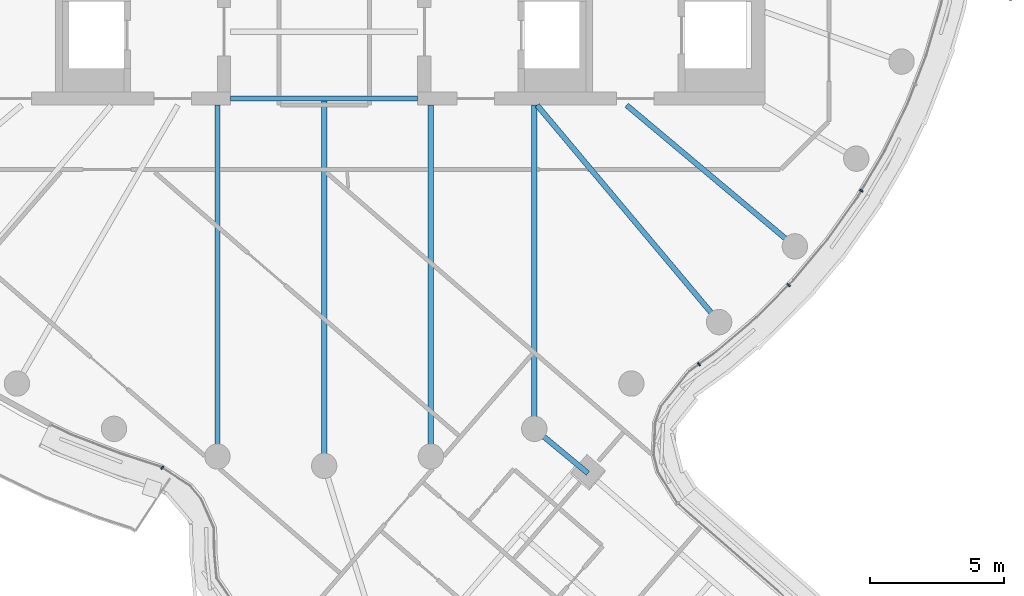
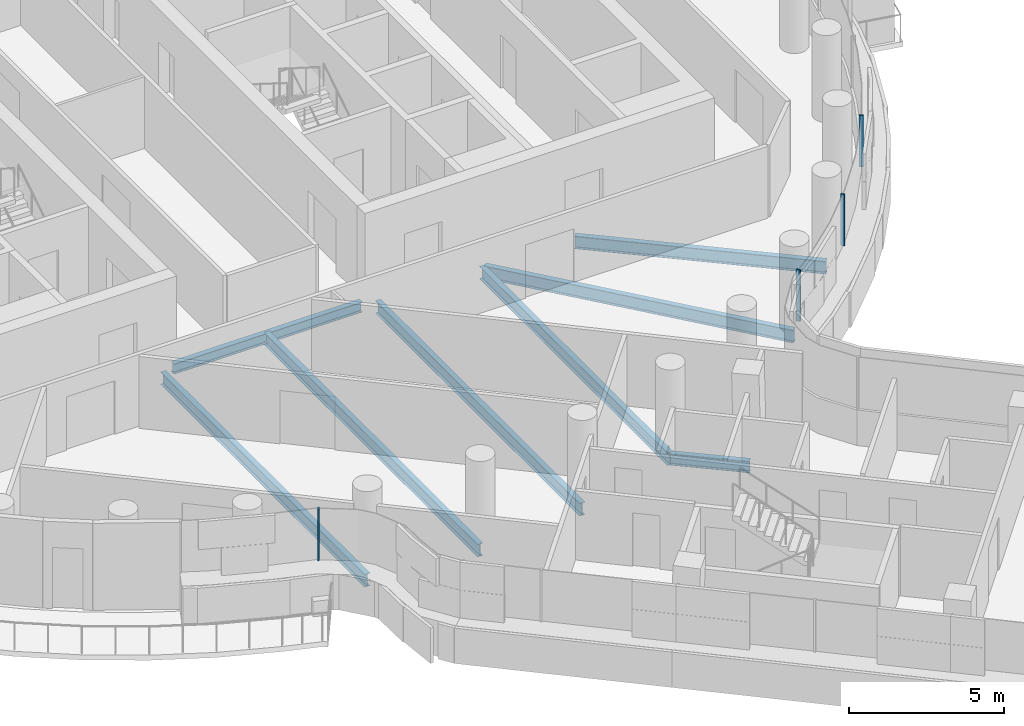
# One storey, part 7 of 32: 8 beams, 4 members, 2 elements without a shape of their own.
"""IFC4 building model written with IfcOpenShell, lengths in metres."""

from ifc_helpers import new_model, si_unit, direction, frame, origin, origin_2d, place, context, subcontext, project, spatial, rectangle, i_section, extrude, material, layer, layer_set, material_profile, profile_set, type_object, element, aggregate, save


model = new_model("IFC4")

# Units and contexts
model_context = context("Model", 3, precision=1e-05, world=origin(), true_north=direction((0.0, 1.0)))
body_context = subcontext(model_context, "Body", "Model", "MODEL_VIEW")
ifc_project = project(units=[si_unit("LENGTHUNIT", "METRE"), si_unit("AREAUNIT", "SQUARE_METRE"), si_unit("VOLUMEUNIT", "CUBIC_METRE"), si_unit("PLANEANGLEUNIT", "RADIAN"), si_unit("MASSUNIT", "GRAM", prefix="KILO")], contexts=[model_context])

# Site, building, storey
site_placement = place(None, origin())
site = spatial("IfcSite", under=ifc_project, at=site_placement, CompositionType="ELEMENT")
building_placement = place(site_placement, origin())
building = spatial("IfcBuilding", under=site, at=building_placement, Name="Tamarind Cross Interchange Tower", CompositionType="ELEMENT")
storey_placement = place(building_placement, frame((0.0, 0.0, 211.300048828125)))
storey = spatial("IfcBuildingStorey", under=building, at=storey_placement, Name="L53", CompositionType="ELEMENT", Elevation=211.300048828125)

# Beams
ifc_material_1 = material(Name="Steel Q355B", Category="steel")
ifc_material_profile_1 = material_profile(ifc_material_1, i_section(OverallWidth=0.199951171875, OverallDepth=0.39990234375, WebThickness=0.008056640625, FlangeThickness=0.012939453125, FilletRadius=0.01611328125, at=origin_2d()), Name="HN 400x200x8x13")
ifc_profile_set_1 = profile_set([ifc_material_profile_1], Name="Steel Q355B")
beam_type_1 = type_object("IfcBeamType", Name="Composite beam HN 400x200x8x13 Q355B", PredefinedType="BEAM", material=ifc_profile_set_1)
beam_1_placement = place(storey_placement, frame((-3.5, -9.25, -0.340087890625), z_axis=(1.0, 0.0, 0.0), x_axis=(0.0, 1.0, 0.0)))
element("IfcBeam", 1, at=beam_1_placement, inside=storey, type_object=beam_type_1, Name="Beam G-9.25", PredefinedType="BEAM", context=body_context, shape_type="SweptSolid", body=[
    extrude(i_section(OverallWidth=0.199951171875, OverallDepth=0.39990234375, WebThickness=0.008056640625, FlangeThickness=0.012939453125, FilletRadius=0.01611328125, at=origin_2d()), origin(), (0.0, 0.0, 1.0), 7.0),
])
ifc_material_profile_2 = material_profile(ifc_material_1, i_section(OverallWidth=0.198974609375, OverallDepth=0.446044921875, WebThickness=0.008056640625, FlangeThickness=0.011962890625, FilletRadius=0.012939453125, at=origin_2d()), Name="HN 446x199x8x12")
ifc_profile_set_2 = profile_set([ifc_material_profile_2], Name="Steel Q355B")
beam_type_2 = type_object("IfcBeamType", Name="Composite beam HN 446x199x8x12 Q355B", PredefinedType="BEAM", material=ifc_profile_set_2)
beam_2_placement = place(storey_placement, frame((9.874755859375, -23.276123046875, -0.363037109375), z_axis=(-0.770197642358, 0.637805292943, 0.0), x_axis=(-0.637805292943, -0.770197642358, 0.0)))
element("IfcBeam", 2, at=beam_2_placement, inside=storey, type_object=beam_type_2, Name="Beam S-linkep", PredefinedType="BEAM", context=body_context, shape_type="SweptSolid", body=[
    extrude(i_section(OverallWidth=0.198974609375, OverallDepth=0.446044921875, WebThickness=0.008056640625, FlangeThickness=0.011962890625, FilletRadius=0.012939453125, at=origin_2d()), origin(), (0.0, 0.0, 1.0), 2.607421875),
])
ifc_material_profile_3 = material_profile(ifc_material_1, i_section(OverallWidth=0.198974609375, OverallDepth=0.49609375, WebThickness=0.009033203125, FlangeThickness=0.013916015625, FilletRadius=0.012939453125, at=origin_2d()), Name="HN 496x199x9x14")
ifc_profile_set_3 = profile_set([ifc_material_profile_3], Name="Steel Q355B")
beam_type_3 = type_object("IfcBeamType", Name="Composite beam HN 496x199x9x14 Q355B", PredefinedType="BEAM", material=ifc_profile_set_3)
beam_3_placement = place(storey_placement, frame((-3.993896484375, -22.650634765625, -0.387939453125), z_axis=(0.0, 1.0, 0.0), x_axis=(-1.0, 0.0, 0.0)))
element("IfcBeam", 3, at=beam_3_placement, inside=storey, type_object=beam_type_3, Name="Beam HH26", PredefinedType="BEAM", context=body_context, shape_type="SweptSolid", body=[
    extrude(i_section(OverallWidth=0.198974609375, OverallDepth=0.49609375, WebThickness=0.009033203125, FlangeThickness=0.013916015625, FilletRadius=0.012939453125, at=origin_2d()), origin(), (0.0, 0.0, 1.0), 13.150634765625),
])
beam_4_placement = place(storey_placement, frame((0.0, -23.0, -0.387939453125), z_axis=(0.0, 1.0, 0.0), x_axis=(-1.0, 0.0, 0.0)))
element("IfcBeam", 4, at=beam_4_placement, inside=storey, type_object=beam_type_3, Name="Beam HH27", PredefinedType="BEAM", context=body_context, shape_type="SweptSolid", body=[
    extrude(i_section(OverallWidth=0.198974609375, OverallDepth=0.49609375, WebThickness=0.009033203125, FlangeThickness=0.013916015625, FilletRadius=0.012939453125, at=origin_2d()), origin(), (0.0, 0.0, 1.0), 13.75),
])
beam_5_placement = place(storey_placement, frame((3.993896484375, -22.650634765625, -0.387939453125), z_axis=(0.0, 1.0, 0.0), x_axis=(-1.0, 0.0, 0.0)))
element("IfcBeam", 5, at=beam_5_placement, inside=storey, type_object=beam_type_3, Name="Beam HH28", PredefinedType="BEAM", context=body_context, shape_type="SweptSolid", body=[
    extrude(i_section(OverallWidth=0.198974609375, OverallDepth=0.49609375, WebThickness=0.009033203125, FlangeThickness=0.013916015625, FilletRadius=0.012939453125, at=origin_2d()), origin(), (0.0, 0.0, 1.0), 13.150634765625),
])
beam_6_placement = place(storey_placement, frame((7.866455078125, -21.613037109375, -0.387939453125), z_axis=(0.0, 1.0, 0.0), x_axis=(-1.0, 0.0, 0.0)))
element("IfcBeam", 6, at=beam_6_placement, inside=storey, type_object=beam_type_3, Name="Beam HH29", PredefinedType="BEAM", context=body_context, shape_type="SweptSolid", body=[
    extrude(i_section(OverallWidth=0.198974609375, OverallDepth=0.49609375, WebThickness=0.009033203125, FlangeThickness=0.013916015625, FilletRadius=0.012939453125, at=origin_2d()), origin(), (0.0, 0.0, 1.0), 12.113037109375),
])
beam_7_placement = place(storey_placement, frame((14.7841796875, -17.619140625, -0.387939453125), z_axis=(-0.642786293979, 0.766045547127, 0.0), x_axis=(-0.766045547127, -0.642786293979, 0.0)))
element("IfcBeam", 7, at=beam_7_placement, inside=storey, type_object=beam_type_3, Name="Beam HH31", PredefinedType="BEAM", context=body_context, shape_type="SweptSolid", body=[
    extrude(i_section(OverallWidth=0.198974609375, OverallDepth=0.49609375, WebThickness=0.009033203125, FlangeThickness=0.013916015625, FilletRadius=0.012939453125, at=origin_2d()), origin(), (0.0, 0.0, 1.0), 10.598876953125),
])
beam_8_placement = place(storey_placement, frame((17.619140625, -14.7841796875, -0.387939453125), z_axis=(-0.766040580814, 0.642792212574, 0.0), x_axis=(-0.642792212574, -0.766040580814, 0.0)))
element("IfcBeam", 8, at=beam_8_placement, inside=storey, type_object=beam_type_3, Name="Beam HH32", PredefinedType="BEAM", context=body_context, shape_type="SweptSolid", body=[
    extrude(i_section(OverallWidth=0.198974609375, OverallDepth=0.49609375, WebThickness=0.009033203125, FlangeThickness=0.013916015625, FilletRadius=0.012939453125, at=origin_2d()), origin(), (0.0, 0.0, 1.0), 8.220703125),
])

# Curtain wall, member
ifc_material_2 = material(Name="Aluminium 6063-T6", Category="aluminium")
ifc_layer = layer(ifc_material_2, 0.139892578125)
ifc_layer_set = layer_set([ifc_layer], Name="Aluminium 6063-T6")
curtain_wall_type = type_object("IfcCurtainWallType", Name="Hotel curtain wall, 4.5 m bays", PredefinedType="NOTDEFINED", material=ifc_layer_set)
curtain_wall_1_placement = place(storey_placement, origin())
curtain_wall_1 = element("IfcCurtainWall", 9, at=curtain_wall_1_placement, inside=storey, type_object=curtain_wall_type, Name="CWS-L53-02", PredefinedType="NOTDEFINED")
ifc_material_profile_4 = material_profile(ifc_material_2, rectangle(XDim=0.06005859375, YDim=0.139892578125, at=origin_2d()), Name="Mullion CW2")
ifc_profile_set_4 = profile_set([ifc_material_profile_4], Name="Aluminium 6063-T6")
member_type = type_object("IfcMemberType", Name="Mullion CW2", PredefinedType="MULLION", material=ifc_profile_set_4)
member_1_placement = place(storey_placement, frame((-6.060546875, -23.071044921875, 1.39990234375), z_axis=(0.0, 0.0, 1.0), x_axis=(0.837418137235, -0.546562771719, 0.0)))
member_1 = element("IfcMember", 10, at=member_1_placement, type_object=member_type, Name="CWM-L53-02-04", PredefinedType="MULLION", context=body_context, shape_type="SweptSolid", body=[
    extrude(rectangle(XDim=0.06005859375, YDim=0.139892578125, at=origin_2d()), origin(), (0.0, 0.0, 1.0), 2.02001953125),
])
aggregate(curtain_wall_1, [member_1])

# Curtain wall, members
curtain_wall_2_placement = place(storey_placement, origin())
curtain_wall_2 = element("IfcCurtainWall", 11, at=curtain_wall_2_placement, inside=storey, type_object=curtain_wall_type, Name="CWS-L53-06", PredefinedType="NOTDEFINED")
member_2_placement = place(storey_placement, frame((14.030517578125, -19.197509765625, 1.39990234375), z_axis=(0.0, 0.0, 1.0), x_axis=(0.809855833413, 0.586628953503, 0.0)))
member_2 = element("IfcMember", 12, at=member_2_placement, type_object=member_type, Name="CWM-L53-06-01", PredefinedType="MULLION", context=body_context, shape_type="SweptSolid", body=[
    extrude(rectangle(XDim=0.06005859375, YDim=0.139892578125, at=origin_2d()), origin(), (0.0, 0.0, 1.0), 2.02001953125),
])
member_3_placement = place(storey_placement, frame((17.38671875, -16.232177734375, 1.39990234375), z_axis=(0.0, 0.0, 1.0), x_axis=(0.704057148523, 0.710143317658, 0.0)))
member_3 = element("IfcMember", 13, at=member_3_placement, type_object=member_type, Name="CWM-L53-06-02", PredefinedType="MULLION", context=body_context, shape_type="SweptSolid", body=[
    extrude(rectangle(XDim=0.06005859375, YDim=0.139892578125, at=origin_2d()), origin(), (0.0, 0.0, 1.0), 2.02001953125),
])
member_4_placement = place(storey_placement, frame((20.111083984375, -12.701904296875, 1.39990234375), z_axis=(0.0, 0.0, 1.0), x_axis=(0.508183308752, 0.861248933065, 0.0)))
member_4 = element("IfcMember", 14, at=member_4_placement, type_object=member_type, Name="CWM-L53-06-03", PredefinedType="MULLION", context=body_context, shape_type="SweptSolid", body=[
    extrude(rectangle(XDim=0.06005859375, YDim=0.139892578125, at=origin_2d()), origin(), (0.0, 0.0, 1.0), 2.02001953125),
])
aggregate(curtain_wall_2, [member_2, member_3, member_4])

save(model, "model.ifc")
